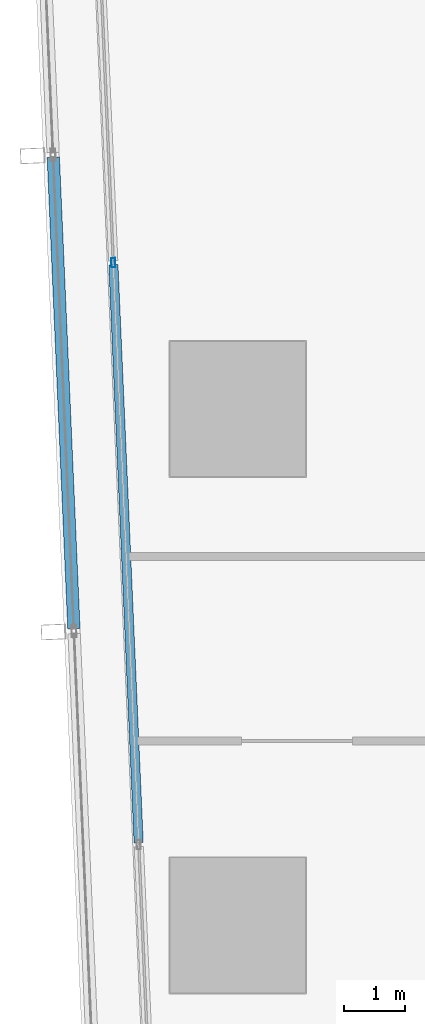
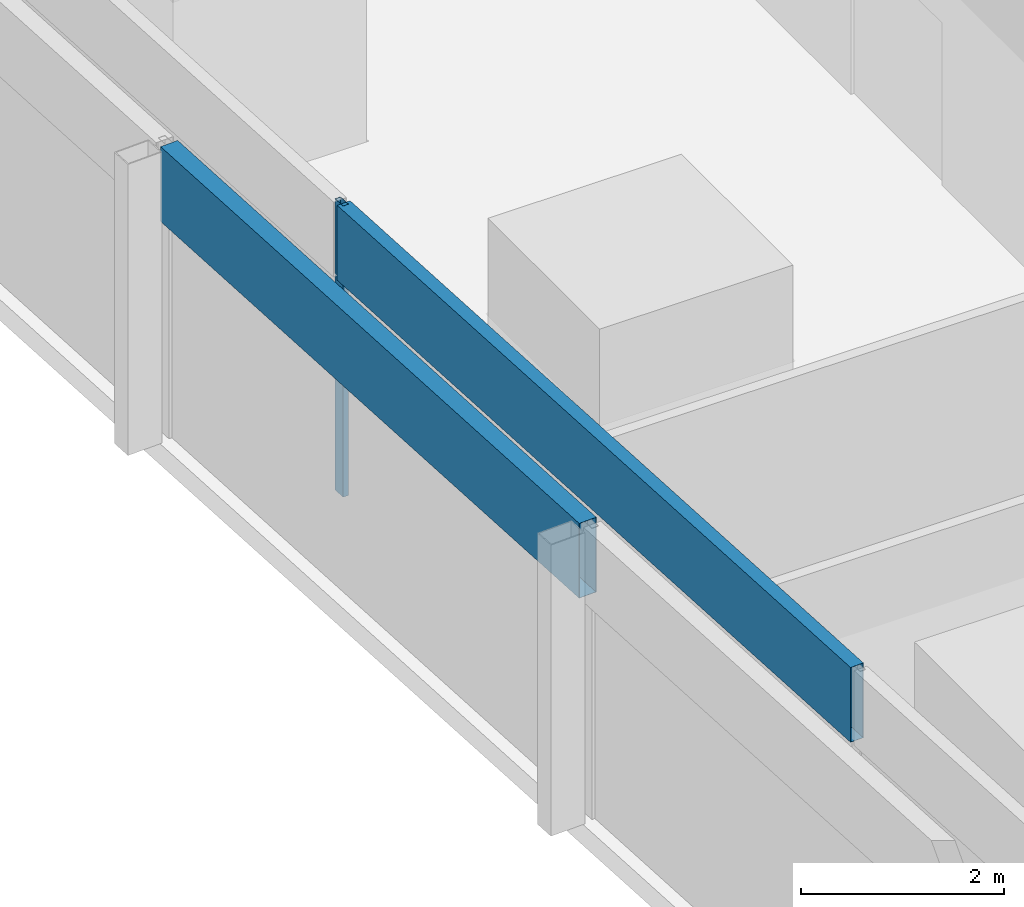
# One storey, part 8 of 45: 3 members, 2 elements without a shape of their own.
"""IFC4 building model written with IfcOpenShell, lengths in metres."""

from ifc_helpers import new_model, si_unit, direction, frame, origin, origin_2d, place, context, subcontext, project, spatial, hollow_rectangle, extrude, material, material_profile, profile_set, type_object, element, aggregate, save


model = new_model("IFC4")

# Units and contexts
model_context = context("Model", 3, precision=1e-05, world=origin(), true_north=direction((0.0, 1.0)))
body_context = subcontext(model_context, "Body", "Model", "MODEL_VIEW")
ifc_project = project(units=[si_unit("LENGTHUNIT", "METRE"), si_unit("AREAUNIT", "SQUARE_METRE"), si_unit("VOLUMEUNIT", "CUBIC_METRE"), si_unit("PLANEANGLEUNIT", "RADIAN"), si_unit("MASSUNIT", "GRAM", prefix="KILO")], contexts=[model_context])

# Site, building, storey
site_placement = place(None, origin())
site = spatial("IfcSite", under=ifc_project, at=site_placement, CompositionType="ELEMENT")
building_placement = place(site_placement, origin())
building = spatial("IfcBuilding", under=site, at=building_placement, Name="Rekha Terrace Tower", CompositionType="ELEMENT")
storey_placement = place(building_placement, frame((0.0, 0.0, 36.64990234375)))
storey = spatial("IfcBuildingStorey", under=building, at=storey_placement, Name="L08", CompositionType="ELEMENT", Elevation=36.64990234375)

# Curtain wall, members
ifc_material_1 = material(Name="Aluminium framing", Category="aluminium")
curtain_wall_type_1 = type_object("IfcCurtainWallType", Name="CW1 double skin inner glazing", PredefinedType="USERDEFINED", material=ifc_material_1)
curtain_wall_1_placement = place(storey_placement, origin())
curtain_wall_1 = element("IfcCurtainWall", 1, at=curtain_wall_1_placement, inside=storey, type_object=curtain_wall_type_1, Name="CW1 double skin inner glazing", ObjectType="DOUBLE SKIN INNER GLAZING", PredefinedType="USERDEFINED")
ifc_material_2 = material(Name="Aluminium mullion section", Category="aluminium")
ifc_material_profile_1 = material_profile(ifc_material_2, hollow_rectangle(XDim=0.06494140625, YDim=0.14990234375, WallThickness=0.00390625, at=origin_2d()), Name="AL RHS 65x150")
ifc_profile_set_1 = profile_set([ifc_material_profile_1], Name="Aluminium mullion section")
member_type_1 = type_object("IfcMemberType", Name="CW1 mullion RHS 65 x 150", PredefinedType="MULLION", material=ifc_profile_set_1)
member_1_placement = place(storey_placement, frame((6.37646484375, 35.978271484375, 0.0), z_axis=(0.0, 0.0, 1.0), x_axis=(0.999045462133, 0.043682543337, 0.0)))
member_1 = element("IfcMember", 2, at=member_1_placement, type_object=member_type_1, Name="CW1 mullion 2", PredefinedType="MULLION", context=body_context, shape_type="SweptSolid", body=[
    extrude(hollow_rectangle(XDim=0.06494140625, YDim=0.14990234375, WallThickness=0.00390625, at=origin_2d()), origin(), (0.0, 0.0, 1.0), 3.5),
])
ifc_material_3 = material(Name="Insulated aluminium spandrel box", Category="aluminium")
ifc_material_profile_2 = material_profile(ifc_material_3, hollow_rectangle(XDim=0.14990234375, YDim=0.89990234375, WallThickness=0.0029296875, at=origin_2d()), Name="AL SPANDREL BOX 150x900")
ifc_profile_set_2 = profile_set([ifc_material_profile_2], Name="Insulated aluminium spandrel box")
member_type_2 = type_object("IfcMemberType", Name="CW1 spandrel transom 150 x 900", PredefinedType="USERDEFINED", material=ifc_profile_set_2)
member_2_placement = place(storey_placement, frame((6.3779296875, 35.94580078125, 3.050048828125), z_axis=(0.043666917606, -0.999046145234, 0.0), x_axis=(0.999046145234, 0.043666917606, 0.0)))
member_2 = element("IfcMember", 3, at=member_2_placement, type_object=member_type_2, Name="CW1 spandrel transom 2", ObjectType="TRANSOM", PredefinedType="USERDEFINED", context=body_context, shape_type="SweptSolid", body=[
    extrude(hollow_rectangle(XDim=0.14990234375, YDim=0.89990234375, WallThickness=0.0029296875, at=origin_2d()), origin(), (0.0, 0.0, 1.0), 9.40966796875),
])
aggregate(curtain_wall_1, [member_1, member_2])

# Curtain wall, member
curtain_wall_type_2 = type_object("IfcCurtainWallType", Name="CW2 double skin outer glazing", PredefinedType="USERDEFINED", material=ifc_material_1)
curtain_wall_2_placement = place(storey_placement, origin())
curtain_wall_2 = element("IfcCurtainWall", 4, at=curtain_wall_2_placement, inside=storey, type_object=curtain_wall_type_2, Name="CW2 double skin outer glazing", ObjectType="DOUBLE SKIN OUTER GLAZING", PredefinedType="USERDEFINED")
ifc_material_profile_3 = material_profile(ifc_material_3, hollow_rectangle(XDim=0.199951171875, YDim=0.89990234375, WallThickness=0.0029296875, at=origin_2d()), Name="AL SPANDREL BOX 200x900")
ifc_profile_set_3 = profile_set([ifc_material_profile_3], Name="Insulated aluminium spandrel box")
member_type_3 = type_object("IfcMemberType", Name="CW2 spandrel transom 200 x 900", PredefinedType="USERDEFINED", material=ifc_profile_set_3)
member_3_placement = place(storey_placement, frame((5.400634765625, 37.690185546875, 3.050048828125), z_axis=(0.04369270591, -0.99904501773, 0.0), x_axis=(0.99904501773, 0.04369270591, 0.0)))
member_3 = element("IfcMember", 5, at=member_3_placement, type_object=member_type_3, Name="CW2 spandrel transom 2", ObjectType="TRANSOM", PredefinedType="USERDEFINED", context=body_context, shape_type="SweptSolid", body=[
    extrude(hollow_rectangle(XDim=0.199951171875, YDim=0.89990234375, WallThickness=0.0029296875, at=origin_2d()), origin(), (0.0, 0.0, 1.0), 7.671875),
])
aggregate(curtain_wall_2, [member_3])

save(model, "model.ifc")
